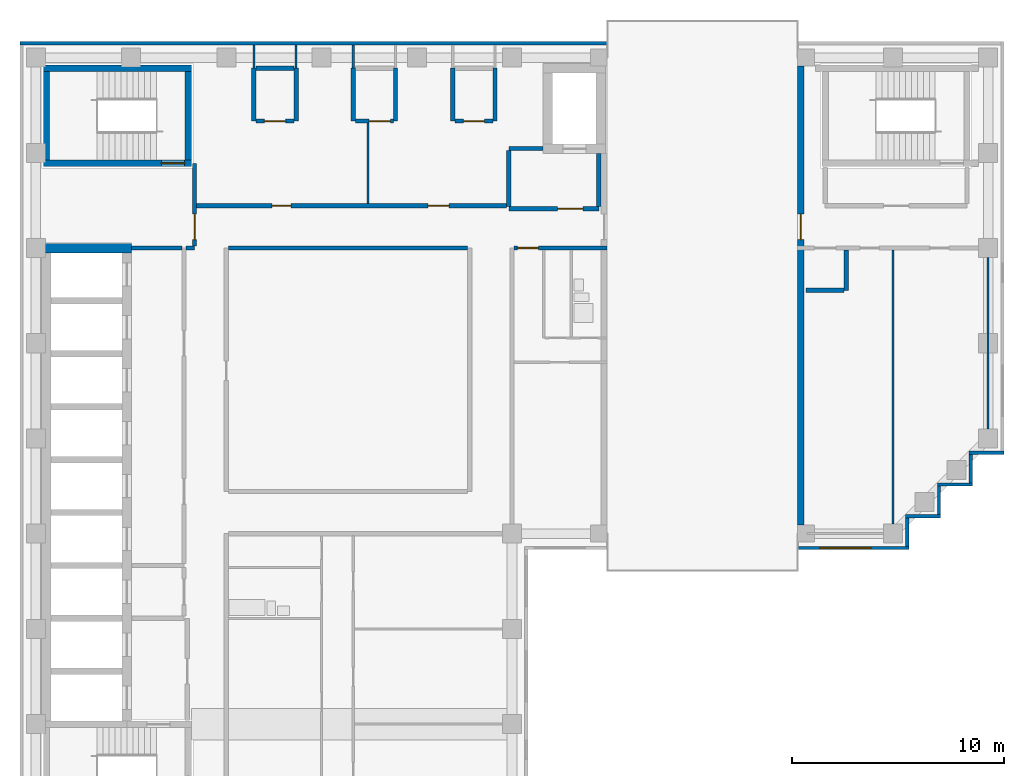
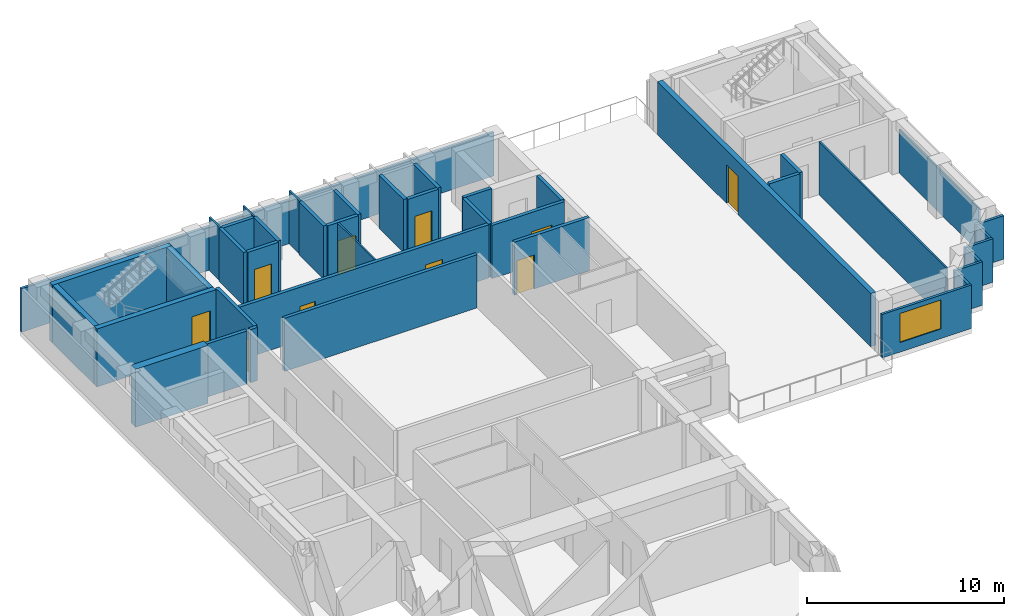
# One storey, part 4 of 7: 42 walls, 10 doors, 1 window, 11 openings.
"""IFC4 building model written with IfcOpenShell, lengths in metres."""

from ifc_helpers import new_model, si_unit, direction, frame, frame_2d, origin, place, context, subcontext, project, spatial, rectangle, extrude, material, layer, layer_set, type_object, element, fill, save


model = new_model("IFC4")

# Units and contexts
model_context = context("Model", 3, precision=1e-05, world=origin(), true_north=direction((0.0, 1.0)))
body_context = subcontext(model_context, "Body", "Model", "MODEL_VIEW")
ifc_project = project(units=[si_unit("LENGTHUNIT", "METRE"), si_unit("AREAUNIT", "SQUARE_METRE"), si_unit("VOLUMEUNIT", "CUBIC_METRE"), si_unit("PLANEANGLEUNIT", "RADIAN"), si_unit("MASSUNIT", "GRAM", prefix="KILO")], contexts=[model_context])

# Site, building, storey
site_placement = place(None, origin())
site = spatial("IfcSite", under=ifc_project, at=site_placement, CompositionType="ELEMENT")
building_placement = place(site_placement, origin())
building = spatial("IfcBuilding", under=site, at=building_placement, Name="Firuza Court", CompositionType="ELEMENT")
storey_placement = place(building_placement, frame((0.0, 0.0, 240.199951171875)))
storey = spatial("IfcBuildingStorey", under=building, at=storey_placement, Name="L62", CompositionType="ELEMENT", Elevation=240.199951171875)

# Wall, opening, door
ifc_material_1 = material(Name="Concrete C50/60", Category="concrete")
ifc_layer_1 = layer(ifc_material_1, 0.300048828125)
ifc_layer_set_1 = layer_set([ifc_layer_1], Name="Concrete C50/60")
wall_type_1 = type_object("IfcWallType", Name="Core wall 300 C50/60", PredefinedType="SHEAR", material=ifc_layer_set_1)
wall_1_placement = place(storey_placement, frame((0.35009765625, 53.5, -0.300048828125), z_axis=(0.0, 0.0, 1.0), x_axis=(1.0, 0.0, 0.0)))
wall_1 = element("IfcWall", 1, at=wall_1_placement, inside=storey, type_object=wall_type_1, Name="Core wall stair L62", PredefinedType="SHEAR", context=body_context, shape_type="SweptSolid", body=[
    extrude(rectangle(XDim=7.0, YDim=0.300048828125, at=frame_2d((3.5, 0.0))), origin(), (0.0, 0.0, 1.0), 3.60009765625),
])
opening_1_placement = place(wall_1_placement, frame((5.580078125, 0.0, 0.300048828125)))
opening_1 = element("IfcOpeningElement", 2, at=opening_1_placement, cuts=wall_1, Name="Opening D62011", PredefinedType="OPENING", context=body_context, shape_type="SweptSolid", body=[
    extrude(rectangle(XDim=1.10009765625, YDim=2.10009765625, at=frame_2d((0.550048828125, 1.050048828125))), frame((0.0, 0.162109375, 0.0), z_axis=(0.0, -1.0, 0.0), x_axis=(1.0, 0.0, 0.0)), (0.0, 0.0, 1.0), 0.323974609375),
])
ifc_material_2 = material(Name="Timber door leaf in hardwood frame", Category="wood")
door_type_1 = type_object("IfcDoorType", Name="Stair door 1100", OperationType="SINGLE_SWING_LEFT", PredefinedType="DOOR", material=ifc_material_2)
door_1_placement = place(opening_1_placement, origin())
door_1 = element("IfcDoor", 3, at=door_1_placement, inside=storey, type_object=door_type_1, Name="Stair door S3", OperationType="SINGLE_SWING_RIGHT", OverallHeight=2.10009765625, OverallWidth=1.10009765625, PredefinedType="DOOR", context=body_context, shape_type="SweptSolid", body=[
    extrude(rectangle(XDim=1.10009765625, YDim=2.10009765625, at=frame_2d((0.550048828125, 1.050048828125))), frame((0.0, 0.02490234375, 0.0), z_axis=(0.0, -1.0, 0.0), x_axis=(1.0, 0.0, 0.0)), (0.0, 0.0, 1.0), 0.050048828125),
])
fill(opening_1, door_1)

# Walls
wall_2_placement = place(storey_placement, frame((0.35009765625, 58.0, -0.300048828125), z_axis=(0.0, 0.0, 1.0), x_axis=(1.0, 0.0, 0.0)))
element("IfcWall", 4, at=wall_2_placement, inside=storey, type_object=wall_type_1, Name="Core wall stair L62", PredefinedType="SHEAR", context=body_context, shape_type="SweptSolid", body=[
    extrude(rectangle(XDim=7.0, YDim=0.300048828125, at=frame_2d((3.5, 0.0))), origin(), (0.0, 0.0, 1.0), 3.60009765625),
])
for number, where, z_axis, x_axis, name in (
    (5, (0.5, 53.64990234375, -0.300048828125), (0.0, 0.0, 1.0), (0.0, 1.0, 0.0), "Core wall stair L62"),
    (6, (7.199951171875, 53.64990234375, -0.300048828125), (0.0, 0.0, 1.0), (0.0, 1.0, 0.0), "Core wall stair L62"),
):
    element("IfcWall", number, at=place(storey_placement, frame(where, z_axis=z_axis, x_axis=x_axis)), inside=storey, type_object=wall_type_1, Name=name, PredefinedType="SHEAR", context=body_context, shape_type="SweptSolid", body=[
        extrude(rectangle(XDim=4.2001953125, YDim=0.300048828125, at=frame_2d((2.10009765625, 0.0))), origin(), (0.0, 0.0, 1.0), 3.60009765625),
    ])
ifc_layer_2 = layer(ifc_material_1, 0.449951171875)
ifc_layer_set_2 = layer_set([ifc_layer_2], Name="Concrete C50/60")
wall_type_2 = type_object("IfcWallType", Name="Core wall 450 C50/60", PredefinedType="SHEAR", material=ifc_layer_set_2)
wall_3_placement = place(storey_placement, frame((0.27490234375, 49.5, -0.300048828125), z_axis=(0.0, 0.0, 1.0), x_axis=(1.0, 0.0, 0.0)))
element("IfcWall", 7, at=wall_3_placement, inside=storey, type_object=wall_type_2, Name="Core wall lift shaft L62", PredefinedType="SHEAR", context=body_context, shape_type="SweptSolid", body=[
    extrude(rectangle(XDim=4.25, YDim=0.449951171875, at=frame_2d((2.125, 0.0))), origin(), (0.0, 0.0, 1.0), 3.60009765625),
])
ifc_material_3 = material(Name="Blockwork, plastered both sides", Category="masonry")
ifc_layer_3 = layer(ifc_material_3, 0.199951171875)
ifc_layer_set_3 = layer_set([ifc_layer_3], Name="Blockwork, plastered both sides")
wall_type_3 = type_object("IfcWallType", Name="Corridor wall 200", PredefinedType="PARTITIONING", material=ifc_layer_set_3)
wall_4_placement = place(storey_placement, frame((9.10009765625, 49.5, 0.0), z_axis=(0.0, 0.0, 1.0), x_axis=(1.0, 0.0, 0.0)))
element("IfcWall", 8, at=wall_4_placement, inside=storey, type_object=wall_type_3, Name="Corridor wall 200 L62", PredefinedType="PARTITIONING", context=body_context, shape_type="SweptSolid", body=[
    extrude(rectangle(XDim=11.2998046875, YDim=0.199951171875, at=frame_2d((5.64990234375, 0.0))), origin(), (0.0, 0.0, 1.0), 3.300048828125),
])

# Wall, opening, door
wall_5_placement = place(storey_placement, frame((22.60009765625, 49.5, 0.0), z_axis=(0.0, 0.0, 1.0), x_axis=(1.0, 0.0, 0.0)))
wall_5 = element("IfcWall", 9, at=wall_5_placement, inside=storey, type_object=wall_type_3, Name="Corridor wall 200 L62", PredefinedType="PARTITIONING", context=body_context, shape_type="SweptSolid", body=[
    extrude(rectangle(XDim=4.39990234375, YDim=0.199951171875, at=frame_2d((2.199951171875, 0.0))), origin(), (0.0, 0.0, 1.0), 3.300048828125),
])
opening_2_placement = place(wall_5_placement, frame((0.14990234375, 0.0, 0.0)))
opening_2 = element("IfcOpeningElement", 10, at=opening_2_placement, cuts=wall_5, Name="Opening D62028", PredefinedType="OPENING", context=body_context, shape_type="SweptSolid", body=[
    extrude(rectangle(XDim=1.0, YDim=2.10009765625, at=frame_2d((0.5, 1.050048828125))), frame((0.0, 0.11181640625, 0.0), z_axis=(0.0, -1.0, 0.0), x_axis=(1.0, 0.0, 0.0)), (0.0, 0.0, 1.0), 0.223876953125),
])
ifc_material_4 = material(Name="Timber door leaf in hardwood frame", Category="wood")
door_type_2 = type_object("IfcDoorType", Name="Flat entrance door 1000", OperationType="SINGLE_SWING_LEFT", PredefinedType="DOOR", material=ifc_material_4)
door_2_placement = place(opening_2_placement, origin())
door_2 = element("IfcDoor", 11, at=door_2_placement, inside=storey, type_object=door_type_2, Name="Flat entrance door", OperationType="SINGLE_SWING_RIGHT", OverallHeight=2.10009765625, OverallWidth=1.0, PredefinedType="DOOR", context=body_context, shape_type="SweptSolid", body=[
    extrude(rectangle(XDim=1.0, YDim=2.10009765625, at=frame_2d((0.5, 1.050048828125))), frame((0.0, 0.02490234375, 0.0), z_axis=(0.0, -1.0, 0.0), x_axis=(1.0, 0.0, 0.0)), (0.0, 0.0, 1.0), 0.050048828125),
])
fill(opening_2, door_2)

# Wall, openings, doors
wall_6_placement = place(storey_placement, frame((7.60009765625, 51.5, 0.0), z_axis=(0.0, 0.0, 1.0), x_axis=(1.0, 0.0, 0.0)))
wall_6 = element("IfcWall", 12, at=wall_6_placement, inside=storey, type_object=wall_type_3, Name="Corridor wall 200 L62", PredefinedType="PARTITIONING", context=body_context, shape_type="SweptSolid", body=[
    extrude(rectangle(XDim=14.64990234375, YDim=0.199951171875, at=frame_2d((7.324951171875, 0.0))), origin(), (0.0, 0.0, 1.0), 3.300048828125),
])
opening_3_placement = place(wall_6_placement, frame((3.550048828125, 0.0, 0.0)))
opening_3 = element("IfcOpeningElement", 13, at=opening_3_placement, cuts=wall_6, Name="Opening D62032", PredefinedType="OPENING", context=body_context, shape_type="SweptSolid", body=[
    extrude(rectangle(XDim=0.89990234375, YDim=2.10009765625, at=frame_2d((0.449951171875, 1.050048828125))), frame((0.0, 0.11181640625, 0.0), z_axis=(0.0, -1.0, 0.0), x_axis=(1.0, 0.0, 0.0)), (0.0, 0.0, 1.0), 0.223876953125),
])
opening_4_placement = place(wall_6_placement, frame((10.925048828125, 0.0, 0.0)))
opening_4 = element("IfcOpeningElement", 14, at=opening_4_placement, cuts=wall_6, Name="Opening D62033", PredefinedType="OPENING", context=body_context, shape_type="SweptSolid", body=[
    extrude(rectangle(XDim=1.0, YDim=2.10009765625, at=frame_2d((0.5, 1.050048828125))), frame((0.0, 0.11181640625, 0.0), z_axis=(0.0, -1.0, 0.0), x_axis=(1.0, 0.0, 0.0)), (0.0, 0.0, 1.0), 0.223876953125),
])
ifc_material_5 = material(Name="Timber door leaf in hardwood frame", Category="wood")
door_type_3 = type_object("IfcDoorType", Name="Room door 900 EI 30", OperationType="SINGLE_SWING_LEFT", PredefinedType="DOOR", material=ifc_material_5)
door_3_placement = place(opening_3_placement, origin())
door_3 = element("IfcDoor", 15, at=door_3_placement, inside=storey, type_object=door_type_3, Name="Meeting room door", OperationType="SINGLE_SWING_LEFT", OverallHeight=2.10009765625, OverallWidth=0.89990234375, PredefinedType="DOOR", context=body_context, shape_type="SweptSolid", body=[
    extrude(rectangle(XDim=0.89990234375, YDim=2.10009765625, at=frame_2d((0.449951171875, 1.050048828125))), frame((0.0, 0.02490234375, 0.0), z_axis=(0.0, -1.0, 0.0), x_axis=(1.0, 0.0, 0.0)), (0.0, 0.0, 1.0), 0.050048828125),
])
fill(opening_3, door_3)
ifc_material_6 = material(Name="Timber door leaf in hardwood frame", Category="wood")
door_type_4 = type_object("IfcDoorType", Name="Store door 1000", OperationType="SINGLE_SWING_LEFT", PredefinedType="DOOR", material=ifc_material_6)
door_4_placement = place(opening_4_placement, origin())
door_4 = element("IfcDoor", 16, at=door_4_placement, inside=storey, type_object=door_type_4, Name="Electrical room door", OperationType="SINGLE_SWING_LEFT", OverallHeight=2.10009765625, OverallWidth=1.0, PredefinedType="DOOR", context=body_context, shape_type="SweptSolid", body=[
    extrude(rectangle(XDim=1.0, YDim=2.10009765625, at=frame_2d((0.5, 1.050048828125))), frame((0.0, 0.02490234375, 0.0), z_axis=(0.0, -1.0, 0.0), x_axis=(1.0, 0.0, 0.0)), (0.0, 0.0, 1.0), 0.050048828125),
])
fill(opening_4, door_4)

# Walls
ifc_material_7 = material(Name="Timber stud partition, plasterboard both sides", Category="wood")
ifc_layer_4 = layer(ifc_material_7, 0.10009765625)
ifc_layer_set_4 = layer_set([ifc_layer_4], Name="Timber stud partition, plasterboard both sides")
wall_type_4 = type_object("IfcWallType", Name="Partition wall 100", PredefinedType="PARTITIONING", material=ifc_layer_set_4)
wall_7_placement = place(storey_placement, frame((40.5, 36.449951171875, 0.0), z_axis=(0.0, 0.0, 1.0), x_axis=(0.0, 1.0, 0.0)))
element("IfcWall", 17, at=wall_7_placement, inside=storey, type_object=wall_type_4, Name="Partition wall 100 L62", PredefinedType="PARTITIONING", context=body_context, shape_type="SweptSolid", body=[
    extrude(rectangle(XDim=12.949951171875, YDim=0.10009765625, at=frame_2d((6.47509765625, 0.0))), origin(), (0.0, 0.0, 1.0), 3.300048828125),
])
wall_8_placement = place(storey_placement, frame((45.0, 40.949951171875, 0.0), z_axis=(0.0, 0.0, 1.0), x_axis=(0.0, 1.0, 0.0)))
element("IfcWall", 18, at=wall_8_placement, inside=storey, type_object=wall_type_4, Name="Partition wall 100 L62", PredefinedType="PARTITIONING", context=body_context, shape_type="SweptSolid", body=[
    extrude(rectangle(XDim=8.10009765625, YDim=0.10009765625, at=frame_2d((4.050048828125, 0.0))), origin(), (0.0, 0.0, 1.0), 2.699951171875),
])
wall_9_placement = place(storey_placement, frame((15.699951171875, 51.60009765625, 0.0), z_axis=(0.0, 0.0, 1.0), x_axis=(0.0, 1.0, 0.0)))
element("IfcWall", 19, at=wall_9_placement, inside=storey, type_object=wall_type_4, Name="Partition wall 100 L62", PredefinedType="PARTITIONING", context=body_context, shape_type="SweptSolid", body=[
    extrude(rectangle(XDim=3.7998046875, YDim=0.10009765625, at=frame_2d((1.89990234375, 0.0))), origin(), (0.0, 0.0, 1.0), 3.300048828125),
])
for number, where, z_axis, x_axis, name in (
    (20, (10.300048828125, 58.0, 0.0), (0.0, 0.0, 1.0), (0.0, 1.0, 0.0), "Partition wall 100 L62"),
    (21, (12.300048828125, 58.0, 0.0), (0.0, 0.0, 1.0), (0.0, 1.0, 0.0), "Partition wall 100 L62"),
    (22, (15.0, 58.0, 0.0), (0.0, 0.0, 1.0), (0.0, 1.0, 0.0), "Partition wall 100 L62"),
):
    element("IfcWall", number, at=place(storey_placement, frame(where, z_axis=z_axis, x_axis=x_axis)), inside=storey, type_object=wall_type_4, Name=name, PredefinedType="PARTITIONING", context=body_context, shape_type="SweptSolid", body=[
        extrude(rectangle(XDim=1.10009765625, YDim=0.10009765625, at=frame_2d((0.550048828125, 0.0))), origin(), (0.0, 0.0, 1.0), 3.300048828125),
    ])
ifc_material_8 = material(Name="Blockwork, fire-rated", Category="masonry")
ifc_layer_5 = layer(ifc_material_8, 0.199951171875)
ifc_layer_set_5 = layer_set([ifc_layer_5], Name="Blockwork, fire-rated")
wall_type_5 = type_object("IfcWallType", Name="Plant room wall 200", PredefinedType="PARTITIONING", material=ifc_layer_set_5)
wall_10_placement = place(storey_placement, frame((36.39990234375, 47.5, 0.0), z_axis=(0.0, 0.0, 1.0), x_axis=(1.0, 0.0, 0.0)))
element("IfcWall", 23, at=wall_10_placement, inside=storey, type_object=wall_type_5, Name="Plant room wall 200 L62", PredefinedType="PARTITIONING", context=body_context, shape_type="SweptSolid", body=[
    extrude(rectangle(XDim=1.800048828125, YDim=0.199951171875, at=frame_2d((0.89990234375, 0.0))), origin(), (0.0, 0.0, 1.0), 3.300048828125),
])
wall_11_placement = place(storey_placement, frame((38.300048828125, 47.5, 0.0), z_axis=(0.0, 0.0, 1.0), x_axis=(0.0, 1.0, 0.0)))
element("IfcWall", 24, at=wall_11_placement, inside=storey, type_object=wall_type_5, Name="Plant room wall 200 L62", PredefinedType="PARTITIONING", context=body_context, shape_type="SweptSolid", body=[
    extrude(rectangle(XDim=1.89990234375, YDim=0.199951171875, at=frame_2d((0.949951171875, 0.0))), origin(), (0.0, 0.0, 1.0), 3.300048828125),
])
wall_12_placement = place(storey_placement, frame((10.300048828125, 55.5, 0.0), z_axis=(0.0, 0.0, 1.0), x_axis=(0.0, 1.0, 0.0)))
element("IfcWall", 25, at=wall_12_placement, inside=storey, type_object=wall_type_5, Name="Plant room wall 200 L62", PredefinedType="PARTITIONING", context=body_context, shape_type="SweptSolid", body=[
    extrude(rectangle(XDim=2.5, YDim=0.199951171875, at=frame_2d((1.25, 0.0))), origin(), (0.0, 0.0, 1.0), 3.300048828125),
])

# Wall, opening, door
wall_13_placement = place(storey_placement, frame((10.39990234375, 55.5, 0.0), z_axis=(0.0, 0.0, 1.0), x_axis=(1.0, 0.0, 0.0)))
wall_13 = element("IfcWall", 26, at=wall_13_placement, inside=storey, type_object=wall_type_5, Name="Plant room wall 200 L62", PredefinedType="PARTITIONING", context=body_context, shape_type="SweptSolid", body=[
    extrude(rectangle(XDim=1.800048828125, YDim=0.199951171875, at=frame_2d((0.89990234375, 0.0))), origin(), (0.0, 0.0, 1.0), 3.300048828125),
])
opening_5_placement = place(wall_13_placement, frame((0.39990234375, 0.0, 0.0)))
opening_5 = element("IfcOpeningElement", 27, at=opening_5_placement, cuts=wall_13, Name="Opening D62034", PredefinedType="OPENING", context=body_context, shape_type="SweptSolid", body=[
    extrude(rectangle(XDim=1.0, YDim=2.10009765625, at=frame_2d((0.5, 1.050048828125))), frame((0.0, 0.11181640625, 0.0), z_axis=(0.0, -1.0, 0.0), x_axis=(1.0, 0.0, 0.0)), (0.0, 0.0, 1.0), 0.223876953125),
])
ifc_material_9 = material(Name="Timber door leaf in hardwood frame", Category="wood")
door_type_5 = type_object("IfcDoorType", Name="Riser door 1000", OperationType="SINGLE_SWING_LEFT", PredefinedType="DOOR", material=ifc_material_9)
door_5_placement = place(opening_5_placement, origin())
door_5 = element("IfcDoor", 28, at=door_5_placement, inside=storey, type_object=door_type_5, Name="Comms riser door", OperationType="SINGLE_SWING_LEFT", OverallHeight=2.10009765625, OverallWidth=1.0, PredefinedType="DOOR", context=body_context, shape_type="SweptSolid", body=[
    extrude(rectangle(XDim=1.0, YDim=2.10009765625, at=frame_2d((0.5, 1.050048828125))), frame((0.0, 0.02490234375, 0.0), z_axis=(0.0, -1.0, 0.0), x_axis=(1.0, 0.0, 0.0)), (0.0, 0.0, 1.0), 0.050048828125),
])
fill(opening_5, door_5)

# Walls
for number, where, z_axis, x_axis, name in (
    (29, (12.300048828125, 55.5, 0.0), (0.0, 0.0, 1.0), (0.0, 1.0, 0.0), "Plant room wall 200 L62"),
    (30, (15.0, 55.5, 0.0), (0.0, 0.0, 1.0), (0.0, 1.0, 0.0), "Plant room wall 200 L62"),
):
    element("IfcWall", number, at=place(storey_placement, frame(where, z_axis=z_axis, x_axis=x_axis)), inside=storey, type_object=wall_type_5, Name=name, PredefinedType="PARTITIONING", context=body_context, shape_type="SweptSolid", body=[
        extrude(rectangle(XDim=2.5, YDim=0.199951171875, at=frame_2d((1.25, 0.0))), origin(), (0.0, 0.0, 1.0), 3.300048828125),
    ])

# Wall, opening, door
wall_14_placement = place(storey_placement, frame((15.10009765625, 55.5, 0.0), z_axis=(0.0, 0.0, 1.0), x_axis=(1.0, 0.0, 0.0)))
wall_14 = element("IfcWall", 31, at=wall_14_placement, inside=storey, type_object=wall_type_5, Name="Plant room wall 200 L62", PredefinedType="PARTITIONING", context=body_context, shape_type="SweptSolid", body=[
    extrude(rectangle(XDim=1.7998046875, YDim=0.199951171875, at=frame_2d((0.89990234375, 0.0))), origin(), (0.0, 0.0, 1.0), 3.300048828125),
])
opening_6_placement = place(wall_14_placement, frame((0.64990234375, 0.0, 0.0)))
opening_6 = element("IfcOpeningElement", 32, at=opening_6_placement, cuts=wall_14, Name="Opening D62035", PredefinedType="OPENING", context=body_context, shape_type="SweptSolid", body=[
    extrude(rectangle(XDim=1.0, YDim=2.10009765625, at=frame_2d((0.5, 1.050048828125))), frame((0.0, 0.11181640625, 0.0), z_axis=(0.0, -1.0, 0.0), x_axis=(1.0, 0.0, 0.0)), (0.0, 0.0, 1.0), 0.223876953125),
])
door_6_placement = place(opening_6_placement, origin())
door_6 = element("IfcDoor", 33, at=door_6_placement, inside=storey, type_object=door_type_5, Name="Electrical riser door", OperationType="SINGLE_SWING_RIGHT", OverallHeight=2.10009765625, OverallWidth=1.0, PredefinedType="DOOR", context=body_context, shape_type="SweptSolid", body=[
    extrude(rectangle(XDim=1.0, YDim=2.10009765625, at=frame_2d((0.5, 1.050048828125))), frame((0.0, 0.02490234375, 0.0), z_axis=(0.0, -1.0, 0.0), x_axis=(1.0, 0.0, 0.0)), (0.0, 0.0, 1.0), 0.050048828125),
])
fill(opening_6, door_6)

# Walls
for number, where, z_axis, x_axis, name in (
    (34, (17.0, 55.5, 0.0), (0.0, 0.0, 1.0), (0.0, 1.0, 0.0), "Plant room wall 200 L62"),
    (35, (19.699951171875, 55.5, 0.0), (0.0, 0.0, 1.0), (0.0, 1.0, 0.0), "Plant room wall 200 L62"),
):
    element("IfcWall", number, at=place(storey_placement, frame(where, z_axis=z_axis, x_axis=x_axis)), inside=storey, type_object=wall_type_5, Name=name, PredefinedType="PARTITIONING", context=body_context, shape_type="SweptSolid", body=[
        extrude(rectangle(XDim=2.5, YDim=0.199951171875, at=frame_2d((1.25, 0.0))), origin(), (0.0, 0.0, 1.0), 3.300048828125),
    ])

# Wall, opening, door
wall_15_placement = place(storey_placement, frame((19.800048828125, 55.5, 0.0), z_axis=(0.0, 0.0, 1.0), x_axis=(1.0, 0.0, 0.0)))
wall_15 = element("IfcWall", 36, at=wall_15_placement, inside=storey, type_object=wall_type_5, Name="Plant room wall 200 L62", PredefinedType="PARTITIONING", context=body_context, shape_type="SweptSolid", body=[
    extrude(rectangle(XDim=1.800048828125, YDim=0.199951171875, at=frame_2d((0.89990234375, 0.0))), origin(), (0.0, 0.0, 1.0), 3.300048828125),
])
opening_7_placement = place(wall_15_placement, frame((0.39990234375, 0.0, 0.0)))
opening_7 = element("IfcOpeningElement", 37, at=opening_7_placement, cuts=wall_15, Name="Opening D62036", PredefinedType="OPENING", context=body_context, shape_type="SweptSolid", body=[
    extrude(rectangle(XDim=1.0, YDim=2.10009765625, at=frame_2d((0.5, 1.050048828125))), frame((0.0, 0.11181640625, 0.0), z_axis=(0.0, -1.0, 0.0), x_axis=(1.0, 0.0, 0.0)), (0.0, 0.0, 1.0), 0.223876953125),
])
door_7_placement = place(opening_7_placement, origin())
door_7 = element("IfcDoor", 38, at=door_7_placement, inside=storey, type_object=door_type_5, Name="Duct riser door", OperationType="SINGLE_SWING_LEFT", OverallHeight=2.10009765625, OverallWidth=1.0, PredefinedType="DOOR", context=body_context, shape_type="SweptSolid", body=[
    extrude(rectangle(XDim=1.0, YDim=2.10009765625, at=frame_2d((0.5, 1.050048828125))), frame((0.0, 0.02490234375, 0.0), z_axis=(0.0, -1.0, 0.0), x_axis=(1.0, 0.0, 0.0)), (0.0, 0.0, 1.0), 0.050048828125),
])
fill(opening_7, door_7)

# Walls
wall_16_placement = place(storey_placement, frame((21.699951171875, 55.5, 0.0), z_axis=(0.0, 0.0, 1.0), x_axis=(0.0, 1.0, 0.0)))
element("IfcWall", 39, at=wall_16_placement, inside=storey, type_object=wall_type_5, Name="Plant room wall 200 L62", PredefinedType="PARTITIONING", context=body_context, shape_type="SweptSolid", body=[
    extrude(rectangle(XDim=2.5, YDim=0.199951171875, at=frame_2d((1.25, 0.0))), origin(), (0.0, 0.0, 1.0), 3.300048828125),
])
wall_17_placement = place(storey_placement, frame((10.39990234375, 58.0, 0.0), z_axis=(0.0, 0.0, 1.0), x_axis=(1.0, 0.0, 0.0)))
element("IfcWall", 40, at=wall_17_placement, inside=storey, type_object=wall_type_5, Name="Plant room wall 200 L62", PredefinedType="PARTITIONING", context=body_context, shape_type="SweptSolid", body=[
    extrude(rectangle(XDim=1.800048828125, YDim=0.199951171875, at=frame_2d((0.89990234375, 0.0))), origin(), (0.0, 0.0, 1.0), 3.300048828125),
])

# Wall, opening, door
ifc_material_10 = material(Name="Ceramic tile", Category="ceramic")
ifc_layer_6 = layer(ifc_material_10, 0.02001953125)
ifc_material_11 = material(Name="Mineral wool insulation", Category="insulation")
ifc_layer_7 = layer(ifc_material_11, 0.1298828125)
ifc_material_12 = material(Name="Concrete C40/50 precast", Category="concrete")
ifc_layer_8 = layer(ifc_material_12, 0.14990234375)
ifc_layer_set_6 = layer_set([ifc_layer_6, ifc_layer_7, ifc_layer_8], Name="Concrete C40/50 precast")
wall_type_6 = type_object("IfcWallType", Name="Portal reveal wall 300", PredefinedType="STANDARD", material=ifc_layer_set_6)
wall_18_placement = place(storey_placement, frame((36.14990234375, 36.39990234375, 0.0), z_axis=(0.0, 0.0, 1.0), x_axis=(0.0, 1.0, 0.0)))
wall_18 = element("IfcWall", 41, at=wall_18_placement, inside=storey, type_object=wall_type_6, Name="Portal reveal wall L62 E", PredefinedType="STANDARD", context=body_context, shape_type="SweptSolid", body=[
    extrude(rectangle(XDim=21.7001953125, YDim=0.300048828125, at=frame_2d((10.85009765625, 0.0))), origin(), (0.0, 0.0, 1.0), 3.300048828125),
])
opening_8_placement = place(wall_18_placement, frame((13.5, 0.0, 0.0)))
opening_8 = element("IfcOpeningElement", 42, at=opening_8_placement, cuts=wall_18, Name="Opening D62902", PredefinedType="OPENING", context=body_context, shape_type="SweptSolid", body=[
    extrude(rectangle(XDim=1.199951171875, YDim=2.39990234375, at=frame_2d((0.60009765625, 1.199951171875))), frame((0.0, 0.162109375, 0.0), z_axis=(0.0, -1.0, 0.0), x_axis=(1.0, 0.0, 0.0)), (0.0, 0.0, 1.0), 0.323974609375),
])
ifc_material_13 = material(Name="Timber door leaf in hardwood frame", Category="wood")
door_type_6 = type_object("IfcDoorType", Name="Terrace door 1200", OperationType="DOUBLE_DOOR_SINGLE_SWING", PredefinedType="DOOR", material=ifc_material_13)
door_8_placement = place(opening_8_placement, origin())
door_8 = element("IfcDoor", 43, at=door_8_placement, inside=storey, type_object=door_type_6, Name="Portal ledge door L62", OperationType="DOUBLE_DOOR_SINGLE_SWING", OverallHeight=2.39990234375, OverallWidth=1.199951171875, PredefinedType="DOOR", context=body_context, shape_type="SweptSolid", body=[
    extrude(rectangle(XDim=1.199951171875, YDim=2.39990234375, at=frame_2d((0.60009765625, 1.199951171875))), frame((0.0, 0.02490234375, 0.0), z_axis=(0.0, -1.0, 0.0), x_axis=(1.0, 0.0, 0.0)), (0.0, 0.0, 1.0), 0.050048828125),
])
fill(opening_8, door_8)

# Wall, opening, window
ifc_layer_9 = layer(ifc_material_10, 0.02001953125)
ifc_layer_10 = layer(ifc_material_11, 0.050048828125)
ifc_layer_11 = layer(ifc_material_12, 0.080078125)
ifc_layer_set_7 = layer_set([ifc_layer_9, ifc_layer_10, ifc_layer_11], Name="Concrete C40/50 precast")
wall_type_7 = type_object("IfcWallType", Name="Precast cladding wall with turquoise TILE PANEL face 150", PredefinedType="STANDARD", material=ifc_layer_set_7)
wall_19_placement = place(storey_placement, frame((36.0, 35.324951171875, 0.0), z_axis=(0.0, 0.0, 1.0), x_axis=(1.0, 0.0, 0.0)))
wall_19 = element("IfcWall", 44, at=wall_19_placement, inside=storey, type_object=wall_type_7, Name="Facade wall L62 S", PredefinedType="STANDARD", context=body_context, shape_type="SweptSolid", body=[
    extrude(rectangle(XDim=5.25, YDim=0.14990234375, at=frame_2d((2.625, 0.0))), origin(), (0.0, 0.0, 1.0), 2.699951171875),
])
opening_9_placement = place(wall_19_placement, frame((1.050048828125, 0.0, 0.60009765625)))
opening_9 = element("IfcOpeningElement", 45, at=opening_9_placement, cuts=wall_19, Name="Opening W1", PredefinedType="OPENING", context=body_context, shape_type="SweptSolid", body=[
    extrude(rectangle(XDim=2.39990234375, YDim=1.800048828125, at=frame_2d((1.199951171875, 0.89990234375))), frame((0.0, 0.0869140625, 0.0), z_axis=(0.0, -1.0, 0.0), x_axis=(1.0, 0.0, 0.0)), (0.0, 0.0, 1.0), 0.173828125),
])
ifc_material_14 = material(Name="Aluminium frame, triple clear glazing", Category="aluminium")
window_type = type_object("IfcWindowType", Name="Window W1 2400 x 1800", PartitioningType="SINGLE_PANEL", PredefinedType="WINDOW", material=ifc_material_14)
window_placement = place(opening_9_placement, origin())
window = element("IfcWindow", 46, at=window_placement, inside=storey, type_object=window_type, Name="Window L62", OverallHeight=1.800048828125, OverallWidth=2.39990234375, PartitioningType="SINGLE_PANEL", PredefinedType="WINDOW", context=body_context, shape_type="SweptSolid", body=[
    extrude(rectangle(XDim=2.39990234375, YDim=1.800048828125, at=frame_2d((1.199951171875, 0.89990234375))), frame((0.0, 0.030029296875, 0.0), z_axis=(0.0, -1.0, 0.0), x_axis=(1.0, 0.0, 0.0)), (0.0, 0.0, 1.0), 0.06005859375),
])
fill(opening_9, window)

# Walls
wall_20_placement = place(storey_placement, frame((41.175048828125, 35.39990234375, 0.0), z_axis=(0.0, 0.0, 1.0), x_axis=(0.0, 1.0, 0.0)))
element("IfcWall", 47, at=wall_20_placement, inside=storey, type_object=wall_type_7, Name="Facade wall L62 E", PredefinedType="STANDARD", context=body_context, shape_type="SweptSolid", body=[
    extrude(rectangle(XDim=1.35009765625, YDim=0.14990234375, at=frame_2d((0.675048828125, 0.0))), origin(), (0.0, 0.0, 1.0), 2.699951171875),
])
wall_21_placement = place(storey_placement, frame((41.10009765625, 36.824951171875, 0.0), z_axis=(0.0, 0.0, 1.0), x_axis=(1.0, 0.0, 0.0)))
element("IfcWall", 48, at=wall_21_placement, inside=storey, type_object=wall_type_7, Name="Facade wall L62 S", PredefinedType="STANDARD", context=body_context, shape_type="SweptSolid", body=[
    extrude(rectangle(XDim=1.64990234375, YDim=0.14990234375, at=frame_2d((0.824951171875, 0.0))), origin(), (0.0, 0.0, 1.0), 2.699951171875),
])
wall_22_placement = place(storey_placement, frame((42.675048828125, 36.89990234375, 0.0), z_axis=(0.0, 0.0, 1.0), x_axis=(0.0, 1.0, 0.0)))
element("IfcWall", 49, at=wall_22_placement, inside=storey, type_object=wall_type_7, Name="Facade wall L62 E", PredefinedType="STANDARD", context=body_context, shape_type="SweptSolid", body=[
    extrude(rectangle(XDim=1.35009765625, YDim=0.14990234375, at=frame_2d((0.675048828125, 0.0))), origin(), (0.0, 0.0, 1.0), 2.699951171875),
])
wall_23_placement = place(storey_placement, frame((42.60009765625, 38.324951171875, 0.0), z_axis=(0.0, 0.0, 1.0), x_axis=(1.0, 0.0, 0.0)))
element("IfcWall", 50, at=wall_23_placement, inside=storey, type_object=wall_type_7, Name="Facade wall L62 S", PredefinedType="STANDARD", context=body_context, shape_type="SweptSolid", body=[
    extrude(rectangle(XDim=1.64990234375, YDim=0.14990234375, at=frame_2d((0.824951171875, 0.0))), origin(), (0.0, 0.0, 1.0), 2.699951171875),
])
wall_24_placement = place(storey_placement, frame((44.175048828125, 38.39990234375, 0.0), z_axis=(0.0, 0.0, 1.0), x_axis=(0.0, 1.0, 0.0)))
element("IfcWall", 51, at=wall_24_placement, inside=storey, type_object=wall_type_7, Name="Facade wall L62 E", PredefinedType="STANDARD", context=body_context, shape_type="SweptSolid", body=[
    extrude(rectangle(XDim=1.35009765625, YDim=0.14990234375, at=frame_2d((0.675048828125, 0.0))), origin(), (0.0, 0.0, 1.0), 2.699951171875),
])
wall_25_placement = place(storey_placement, frame((44.10009765625, 39.824951171875, 0.0), z_axis=(0.0, 0.0, 1.0), x_axis=(1.0, 0.0, 0.0)))
element("IfcWall", 52, at=wall_25_placement, inside=storey, type_object=wall_type_7, Name="Facade wall L62 S", PredefinedType="STANDARD", context=body_context, shape_type="SweptSolid", body=[
    extrude(rectangle(XDim=1.64990234375, YDim=0.14990234375, at=frame_2d((0.824951171875, 0.0))), origin(), (0.0, 0.0, 1.0), 2.699951171875),
])
wall_26_placement = place(storey_placement, frame((27.0, 59.175048828125, 0.0), z_axis=(0.0, 0.0, 1.0), x_axis=(-1.0, 0.0, 0.0)))
element("IfcWall", 53, at=wall_26_placement, inside=storey, type_object=wall_type_7, Name="Facade wall L62 N", PredefinedType="STANDARD", context=body_context, shape_type="SweptSolid", body=[
    extrude(rectangle(XDim=27.75, YDim=0.14990234375, at=frame_2d((13.875, 0.0))), origin(), (0.0, 0.0, 1.0), 2.699951171875),
])
ifc_layer_12 = layer(ifc_material_8, 0.199951171875)
ifc_layer_set_8 = layer_set([ifc_layer_12], Name="Blockwork, fire-rated")
wall_type_8 = type_object("IfcWallType", Name="Shaft wall 200", PredefinedType="PARTITIONING", material=ifc_layer_set_8)
wall_27_placement = place(storey_placement, frame((4.52490234375, 49.5, 0.0), z_axis=(0.0, 0.0, 1.0), x_axis=(1.0, 0.0, 0.0)))
element("IfcWall", 54, at=wall_27_placement, inside=storey, type_object=wall_type_8, Name="Shaft wall 200 L62", PredefinedType="PARTITIONING", context=body_context, shape_type="SweptSolid", body=[
    extrude(rectangle(XDim=2.375, YDim=0.199951171875, at=frame_2d((1.1875, 0.0))), origin(), (0.0, 0.0, 1.0), 3.300048828125),
])

# Wall, opening, door
wall_28_placement = place(storey_placement, frame((22.35009765625, 51.35009765625, 0.0), z_axis=(0.0, 0.0, 1.0), x_axis=(1.0, 0.0, 0.0)))
wall_28 = element("IfcWall", 55, at=wall_28_placement, inside=storey, type_object=wall_type_8, Name="Shaft wall 200 L62", PredefinedType="PARTITIONING", context=body_context, shape_type="SweptSolid", body=[
    extrude(rectangle(XDim=4.25, YDim=0.199951171875, at=frame_2d((2.125, 0.0))), origin(), (0.0, 0.0, 1.0), 3.300048828125),
])
opening_10_placement = place(wall_28_placement, frame((2.300048828125, 0.0, 0.0)))
opening_10 = element("IfcOpeningElement", 56, at=opening_10_placement, cuts=wall_28, Name="Opening D62003", PredefinedType="OPENING", context=body_context, shape_type="SweptSolid", body=[
    extrude(rectangle(XDim=1.199951171875, YDim=2.10009765625, at=frame_2d((0.60009765625, 1.050048828125))), frame((0.0, 0.11181640625, 0.0), z_axis=(0.0, -1.0, 0.0), x_axis=(1.0, 0.0, 0.0)), (0.0, 0.0, 1.0), 0.223876953125),
])
ifc_material_15 = material(Name="Timber door leaf in hardwood frame", Category="wood")
door_type_7 = type_object("IfcDoorType", Name="Lobby door 1200", OperationType="SINGLE_SWING_LEFT", PredefinedType="DOOR", material=ifc_material_15)
door_9_placement = place(opening_10_placement, origin())
door_9 = element("IfcDoor", 57, at=door_9_placement, inside=storey, type_object=door_type_7, Name="Fire-fighting lobby door", OperationType="SINGLE_SWING_RIGHT", OverallHeight=2.10009765625, OverallWidth=1.199951171875, PredefinedType="DOOR", context=body_context, shape_type="SweptSolid", body=[
    extrude(rectangle(XDim=1.199951171875, YDim=2.10009765625, at=frame_2d((0.60009765625, 1.050048828125))), frame((0.0, 0.02490234375, 0.0), z_axis=(0.0, -1.0, 0.0), x_axis=(1.0, 0.0, 0.0)), (0.0, 0.0, 1.0), 0.050048828125),
])
fill(opening_10, door_9)

# Walls
wall_29_placement = place(storey_placement, frame((26.60009765625, 51.449951171875, 0.0), z_axis=(0.0, 0.0, 1.0), x_axis=(0.0, 1.0, 0.0)))
element("IfcWall", 58, at=wall_29_placement, inside=storey, type_object=wall_type_8, Name="Shaft wall 200 L62", PredefinedType="PARTITIONING", context=body_context, shape_type="SweptSolid", body=[
    extrude(rectangle(XDim=2.505126953125, YDim=0.199951171875, at=frame_2d((1.25244140625, 0.0))), origin(), (0.0, 0.0, 1.0), 3.300048828125),
])
wall_30_placement = place(storey_placement, frame((22.35009765625, 54.199951171875, 0.0), z_axis=(0.0, 0.0, 1.0), x_axis=(1.0, 0.0, 0.0)))
element("IfcWall", 59, at=wall_30_placement, inside=storey, type_object=wall_type_8, Name="Shaft wall 200 L62", PredefinedType="PARTITIONING", context=body_context, shape_type="SweptSolid", body=[
    extrude(rectangle(XDim=1.625, YDim=0.199951171875, at=frame_2d((0.8125, 0.0))), origin(), (0.0, 0.0, 1.0), 3.300048828125),
])
wall_31_placement = place(storey_placement, frame((22.35009765625, 51.449951171875, 0.0), z_axis=(0.0, 0.0, 1.0), x_axis=(0.0, 1.0, 0.0)))
element("IfcWall", 60, at=wall_31_placement, inside=storey, type_object=wall_type_8, Name="Shaft wall 200 L62", PredefinedType="PARTITIONING", context=body_context, shape_type="SweptSolid", body=[
    extrude(rectangle(XDim=2.650146484375, YDim=0.199951171875, at=frame_2d((1.3251953125, 0.0))), origin(), (0.0, 0.0, 1.0), 3.300048828125),
])
wall_32_placement = place(storey_placement, frame((7.10009765625, 49.5, 0.0), z_axis=(0.0, 0.0, 1.0), x_axis=(1.0, 0.0, 0.0)))
element("IfcWall", 61, at=wall_32_placement, inside=storey, type_object=wall_type_8, Name="Shaft wall 200 L62", PredefinedType="PARTITIONING", context=body_context, shape_type="SweptSolid", body=[
    extrude(rectangle(XDim=0.39990234375, YDim=0.199951171875, at=frame_2d((0.199951171875, 0.0))), origin(), (0.0, 0.0, 1.0), 3.300048828125),
])

# Wall, opening, door
wall_33_placement = place(storey_placement, frame((7.5, 49.60009765625, 0.0), z_axis=(0.0, 0.0, 1.0), x_axis=(0.0, 1.0, 0.0)))
wall_33 = element("IfcWall", 62, at=wall_33_placement, inside=storey, type_object=wall_type_8, Name="Shaft wall 200 L62", PredefinedType="PARTITIONING", context=body_context, shape_type="SweptSolid", body=[
    extrude(rectangle(XDim=3.89990234375, YDim=0.199951171875, at=frame_2d((1.949951171875, 0.0))), origin(), (0.0, 0.0, 1.0), 3.300048828125),
])
opening_11_placement = place(wall_33_placement, frame((0.300048828125, 0.0, 0.0)))
opening_11 = element("IfcOpeningElement", 63, at=opening_11_placement, cuts=wall_33, Name="Opening D62001", PredefinedType="OPENING", context=body_context, shape_type="SweptSolid", body=[
    extrude(rectangle(XDim=1.199951171875, YDim=2.10009765625, at=frame_2d((0.60009765625, 1.050048828125))), frame((0.0, 0.11181640625, 0.0), z_axis=(0.0, -1.0, 0.0), x_axis=(1.0, 0.0, 0.0)), (0.0, 0.0, 1.0), 0.223876953125),
])
door_10_placement = place(opening_11_placement, origin())
door_10 = element("IfcDoor", 64, at=door_10_placement, inside=storey, type_object=door_type_7, Name="Lobby door", OperationType="SINGLE_SWING_LEFT", OverallHeight=2.10009765625, OverallWidth=1.199951171875, PredefinedType="DOOR", context=body_context, shape_type="SweptSolid", body=[
    extrude(rectangle(XDim=1.199951171875, YDim=2.10009765625, at=frame_2d((0.60009765625, 1.050048828125))), frame((0.0, 0.02490234375, 0.0), z_axis=(0.0, -1.0, 0.0), x_axis=(1.0, 0.0, 0.0)), (0.0, 0.0, 1.0), 0.050048828125),
])
fill(opening_11, door_10)

save(model, "model.ifc")
